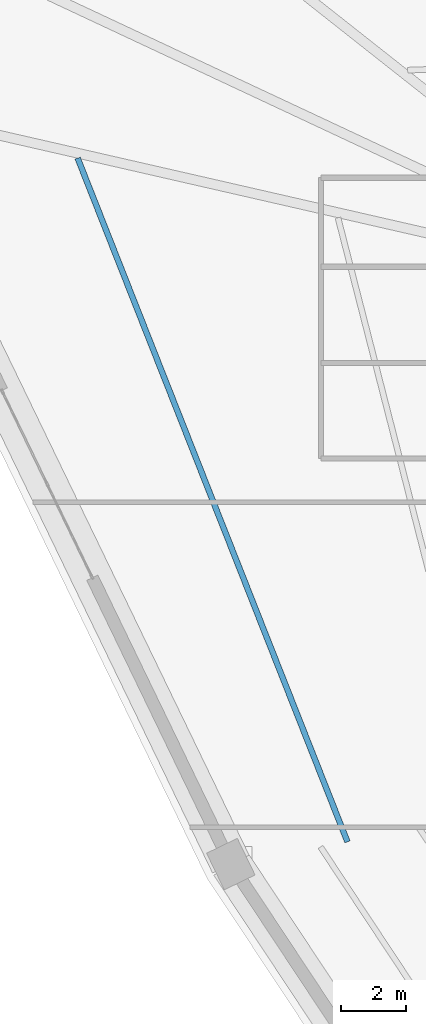
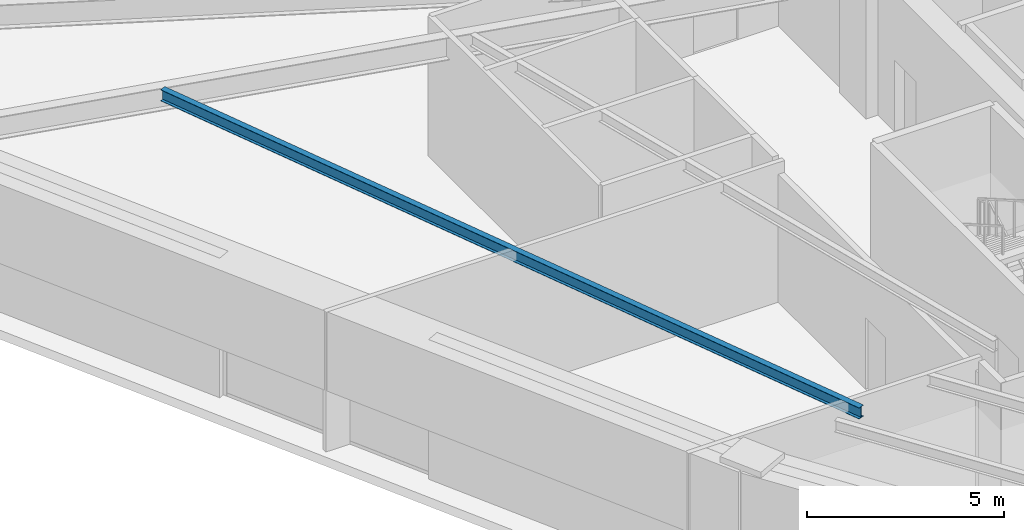
# One storey, part 15 of 39: 1 beam.
"""IFC4 building model written with IfcOpenShell, lengths in metres."""

from ifc_helpers import new_model, si_unit, direction, frame, origin, origin_2d, place, context, subcontext, project, spatial, i_section, extrude, source, transform, mapped, material, material_profile, profile_set, type_object, element, save


model = new_model("IFC4")

# Units and contexts
model_context = context("Model", 3, precision=1e-05, world=origin(), true_north=direction((0.0, 1.0)))
body_context = subcontext(model_context, "Body", "Model", "MODEL_VIEW")
ifc_project = project(units=[si_unit("LENGTHUNIT", "METRE"), si_unit("AREAUNIT", "SQUARE_METRE"), si_unit("VOLUMEUNIT", "CUBIC_METRE"), si_unit("PLANEANGLEUNIT", "RADIAN"), si_unit("MASSUNIT", "GRAM", prefix="KILO")], contexts=[model_context])

# Site, building, storey
site_placement = place(None, origin())
site = spatial("IfcSite", under=ifc_project, at=site_placement, CompositionType="ELEMENT")
building_placement = place(site_placement, origin())
building = spatial("IfcBuilding", under=site, at=building_placement, Name="Liaohun Quay Tower", CompositionType="ELEMENT")
storey_placement = place(building_placement, frame((0.0, 0.0, 189.75)))
storey = spatial("IfcBuildingStorey", under=building, at=storey_placement, Name="L49", CompositionType="ELEMENT", Elevation=189.75)

# Beam
ifc_material = material(Name="Steel Q355D", Category="steel")
ifc_material_profile = material_profile(ifc_material, i_section(OverallWidth=0.175048828125, OverallDepth=0.35009765625, WebThickness=0.007080078125, FlangeThickness=0.010986328125, at=origin_2d()), Name="HN350x175x7x11")
ifc_profile_set = profile_set([ifc_material_profile], Name="Steel Q355D")
beam_type = type_object("IfcBeamType", Name="BM-SEC-J3", PredefinedType="JOIST", material=ifc_profile_set)
shared_shape = source(origin(), body_context, "Body", "SweptSolid", [
    extrude(i_section(OverallWidth=0.175048828125, OverallDepth=0.35009765625, WebThickness=0.007080078125, FlangeThickness=0.010986328125, at=origin_2d()), origin(), (0.0, 0.0, 1.0), 22.6083984375),
])
beam_placement = place(storey_placement, frame((40.7890625, 44.549072265625, 4.14501953125), z_axis=(-0.367080234132, 0.930189282732, 0.0), x_axis=(-0.930189282732, -0.367080234132, 0.0)))
element("IfcBeam", 1, at=beam_placement, inside=storey, type_object=beam_type, Name="L49 Wing Secondary Floor Joist SJ-05", PredefinedType="JOIST", context=body_context, shape_type="MappedRepresentation", body=[
    mapped(shared_shape, transform((0.0, 0.0, 0.0), x_axis=(1.0, 0.0, 0.0), y_axis=(0.0, 1.0, 0.0), z_axis=(0.0, 0.0, 1.0), scale=1.0)),
])

save(model, "model.ifc")
